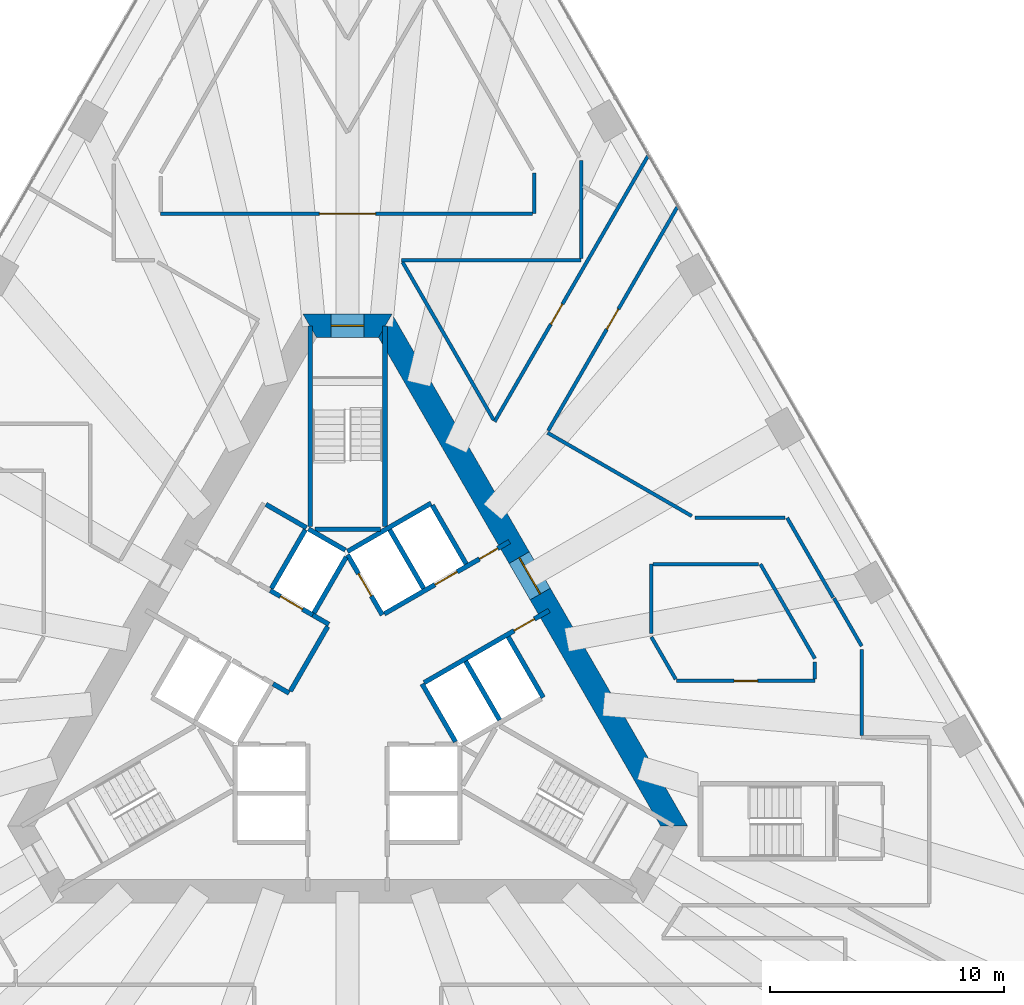
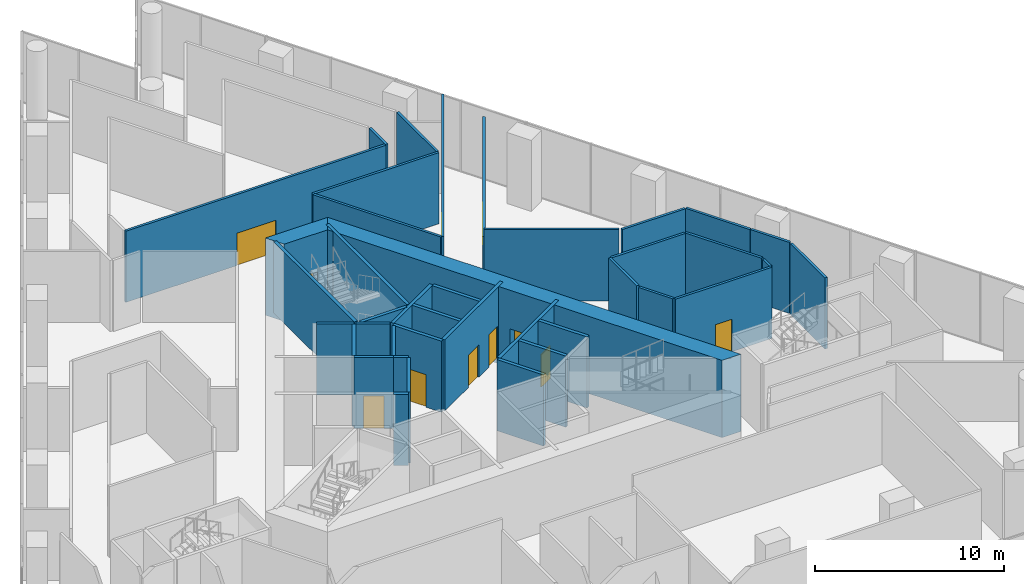
# One storey, part 28 of 32: 40 walls, 11 doors, 11 openings.
"""IFC4 building model written with IfcOpenShell, lengths in metres."""

from ifc_helpers import new_model, si_unit, direction, frame, frame_2d, origin, place, context, subcontext, project, spatial, polyline, rectangle, outline, extrude, material, layer, layer_set, type_object, element, fill, save


model = new_model("IFC4")

# Units and contexts
model_context = context("Model", 3, precision=1e-05, world=origin(), true_north=direction((0.0, 1.0)))
body_context = subcontext(model_context, "Body", "Model", "MODEL_VIEW")
ifc_project = project(units=[si_unit("LENGTHUNIT", "METRE"), si_unit("AREAUNIT", "SQUARE_METRE"), si_unit("VOLUMEUNIT", "CUBIC_METRE"), si_unit("PLANEANGLEUNIT", "RADIAN"), si_unit("MASSUNIT", "GRAM", prefix="KILO")], contexts=[model_context])

# Site, building, storey
site_placement = place(None, origin())
site = spatial("IfcSite", under=ifc_project, at=site_placement, CompositionType="ELEMENT")
building_placement = place(site_placement, origin())
building = spatial("IfcBuilding", under=site, at=building_placement, Name="Triada Interchange Tower", CompositionType="ELEMENT")
storey_placement = place(building_placement, frame((0.0, 0.0, 25.300048828125)))
storey = spatial("IfcBuildingStorey", under=building, at=storey_placement, Name="L04", CompositionType="ELEMENT", Elevation=25.300048828125)

# Wall
ifc_material_1 = material(Name="Concrete C30/37", Category="concrete")
ifc_layer_1 = layer(ifc_material_1, 0.199951171875)
ifc_layer_set_1 = layer_set([ifc_layer_1], Name="CORE WALL 200 EI 120")
wall_type_1 = type_object("IfcWallType", Name="CORE WALL 200 EI 120", PredefinedType="SOLIDWALL", material=ifc_layer_set_1)
wall_1_placement = place(storey_placement, frame((-0.001953125, 5.541015625, 0.0), z_axis=(0.0, 0.0, 1.0), x_axis=(0.86600155993, 0.500041296494, 0.0)))
element("IfcWall", 1, at=wall_1_placement, inside=storey, type_object=wall_type_1, Name="Wall L04 104", PredefinedType="SOLIDWALL", context=body_context, shape_type="SweptSolid", body=[
    extrude(rectangle(XDim=4.131591796875, YDim=0.199951171875, at=frame_2d((2.06591796875, 0.0))), origin(), (0.0, 0.0, 1.0), 4.599853515625),
])

# Wall, opening, door
wall_2_placement = place(storey_placement, frame((0.0, 5.39990234375, 0.0), z_axis=(0.0, 0.0, 1.0), x_axis=(0.500103862429, -0.865965430478, 0.0)))
wall_2 = element("IfcWall", 2, at=wall_2_placement, inside=storey, type_object=wall_type_1, Name="Wall L04 105", PredefinedType="SOLIDWALL", context=body_context, shape_type="SweptSolid", body=[
    extrude(rectangle(XDim=2.973388671875, YDim=0.199951171875, at=frame_2d((1.48681640625, 0.0))), origin(), (0.0, 0.0, 1.0), 4.599853515625),
])
opening_1_placement = place(wall_2_placement, frame((0.93701171875, 0.0, 0.0)))
opening_1 = element("IfcOpeningElement", 3, at=opening_1_placement, cuts=wall_2, Name="Opening LD-LR5", PredefinedType="OPENING", context=body_context, shape_type="SweptSolid", body=[
    extrude(rectangle(XDim=1.10009765625, YDim=2.10009765625, at=frame_2d((0.550048828125, 1.050048828125))), frame((0.0, 0.10986328125, 0.0), z_axis=(0.0, -1.0, 0.0), x_axis=(1.0, 0.0, 0.0)), (0.0, 0.0, 1.0), 0.219970703125),
])
ifc_material_2 = material(Name="Steel S235 door leaf", Category="steel")
door_type_1 = type_object("IfcDoorType", Name="LIFT LANDING DOOR 1100 EI 120", OperationType="SLIDING_TO_LEFT", PredefinedType="DOOR", material=ifc_material_2)
door_1_placement = place(opening_1_placement, origin())
door_1 = element("IfcDoor", 4, at=door_1_placement, inside=storey, type_object=door_type_1, Name="LR5 landing door L04", OperationType="SLIDING_TO_LEFT", OverallHeight=2.10009765625, OverallWidth=1.10009765625, PredefinedType="DOOR", context=body_context, shape_type="SweptSolid", body=[
    extrude(rectangle(XDim=1.10009765625, YDim=2.10009765625, at=frame_2d((0.550048828125, 1.050048828125))), frame((0.0, 0.02490234375, 0.0), z_axis=(0.0, -1.0, 0.0), x_axis=(1.0, 0.0, 0.0)), (0.0, 0.0, 1.0), 0.050048828125),
])
fill(opening_1, door_1)

# Wall
wall_3_placement = place(storey_placement, frame((3.18994140625, -0.125, 0.0), z_axis=(0.0, 0.0, 1.0), x_axis=(0.499988658015, -0.866031951983, 0.0)))
element("IfcWall", 5, at=wall_3_placement, inside=storey, type_object=wall_type_1, Name="Wall L04 106", PredefinedType="SOLIDWALL", context=body_context, shape_type="SweptSolid", body=[
    extrude(rectangle(XDim=2.85791015625, YDim=0.199951171875, at=frame_2d((1.428955078125, 0.0))), origin(), (0.0, 0.0, 1.0), 4.599853515625),
])

# Wall, openings, doors
wall_4_placement = place(storey_placement, frame((1.577880859375, 2.8740234375, 0.0), z_axis=(0.0, 0.0, 1.0), x_axis=(0.866055259465, 0.499948284879, 0.0)))
wall_4 = element("IfcWall", 6, at=wall_4_placement, inside=storey, type_object=wall_type_1, Name="Wall L04 107", PredefinedType="SOLIDWALL", context=body_context, shape_type="SweptSolid", body=[
    extrude(rectangle(XDim=6.176513671875, YDim=0.199951171875, at=frame_2d((3.08837890625, 0.0))), origin(), (0.0, 0.0, 1.0), 4.599853515625),
])
opening_2_placement = place(wall_4_placement, frame((2.49609375, 0.0, 0.0)))
opening_2 = element("IfcOpeningElement", 7, at=opening_2_placement, cuts=wall_4, Name="Opening LD-LR6", PredefinedType="OPENING", context=body_context, shape_type="SweptSolid", body=[
    extrude(rectangle(XDim=1.10009765625, YDim=2.10009765625, at=frame_2d((0.550048828125, 1.050048828125))), frame((0.0, 0.10986328125, 0.0), z_axis=(0.0, -1.0, 0.0), x_axis=(1.0, 0.0, 0.0)), (0.0, 0.0, 1.0), 0.219970703125),
])
opening_3_placement = place(wall_4_placement, frame((4.696044921875, 0.0, 0.0)))
opening_3 = element("IfcOpeningElement", 8, at=opening_3_placement, cuts=wall_4, Name="Opening D04-40", PredefinedType="OPENING", context=body_context, shape_type="SweptSolid", body=[
    extrude(rectangle(XDim=0.89990234375, YDim=2.10009765625, at=frame_2d((0.449951171875, 1.050048828125))), frame((0.0, 0.10986328125, 0.0), z_axis=(0.0, -1.0, 0.0), x_axis=(1.0, 0.0, 0.0)), (0.0, 0.0, 1.0), 0.219970703125),
])
door_2_placement = place(opening_2_placement, origin())
door_2 = element("IfcDoor", 9, at=door_2_placement, inside=storey, type_object=door_type_1, Name="LR6 landing door L04", OperationType="SLIDING_TO_LEFT", OverallHeight=2.10009765625, OverallWidth=1.10009765625, PredefinedType="DOOR", context=body_context, shape_type="SweptSolid", body=[
    extrude(rectangle(XDim=1.10009765625, YDim=2.10009765625, at=frame_2d((0.550048828125, 1.050048828125))), frame((0.0, 0.02490234375, 0.0), z_axis=(0.0, -1.0, 0.0), x_axis=(1.0, 0.0, 0.0)), (0.0, 0.0, 1.0), 0.050048828125),
])
fill(opening_2, door_2)
door_type_2 = type_object("IfcDoorType", Name="SERVICE DOOR 900 EI2 45-C5S200", OperationType="NOTDEFINED", PredefinedType="DOOR", material=ifc_material_2)
door_3_placement = place(opening_3_placement, origin())
door_3 = element("IfcDoor", 10, at=door_3_placement, inside=storey, type_object=door_type_2, Name="Door D04-40 L04", OperationType="SINGLE_SWING_LEFT", OverallHeight=2.10009765625, OverallWidth=0.89990234375, PredefinedType="DOOR", context=body_context, shape_type="SweptSolid", body=[
    extrude(rectangle(XDim=0.89990234375, YDim=2.10009765625, at=frame_2d((0.449951171875, 1.050048828125))), frame((0.0, 0.02490234375, 0.0), z_axis=(0.0, -1.0, 0.0), x_axis=(1.0, 0.0, 0.0)), (0.0, 0.0, 1.0), 0.050048828125),
])
fill(opening_3, door_3)

# Wall, opening, door
wall_5_placement = place(storey_placement, frame((3.278076171875, -0.071044921875, 0.0), z_axis=(0.0, 0.0, 1.0), x_axis=(0.865959795517, 0.500113619639, 0.0)))
wall_5 = element("IfcWall", 11, at=wall_5_placement, inside=storey, type_object=wall_type_1, Name="Wall L04 110", PredefinedType="SOLIDWALL", context=body_context, shape_type="SweptSolid", body=[
    extrude(rectangle(XDim=6.1767578125, YDim=0.199951171875, at=frame_2d((3.08837890625, 0.0))), origin(), (0.0, 0.0, 1.0), 4.599853515625),
])
opening_4_placement = place(wall_5_placement, frame((4.447021484375, 0.0, 0.0)))
opening_4 = element("IfcOpeningElement", 12, at=opening_4_placement, cuts=wall_5, Name="Opening D04-42", PredefinedType="OPENING", context=body_context, shape_type="SweptSolid", body=[
    extrude(rectangle(XDim=1.0, YDim=2.10009765625, at=frame_2d((0.5, 1.050048828125))), frame((0.0, 0.10986328125, 0.0), z_axis=(0.0, -1.0, 0.0), x_axis=(1.0, 0.0, 0.0)), (0.0, 0.0, 1.0), 0.219970703125),
])
door_type_3 = type_object("IfcDoorType", Name="SERVICE DOOR 1000 EI2 45-C5S200", OperationType="NOTDEFINED", PredefinedType="DOOR", material=ifc_material_2)
door_4_placement = place(opening_4_placement, origin())
door_4 = element("IfcDoor", 13, at=door_4_placement, inside=storey, type_object=door_type_3, Name="Door D04-42 L04", OperationType="SINGLE_SWING_RIGHT", OverallHeight=2.10009765625, OverallWidth=1.0, PredefinedType="DOOR", context=body_context, shape_type="SweptSolid", body=[
    extrude(rectangle(XDim=1.0, YDim=2.10009765625, at=frame_2d((0.5, 1.050048828125))), frame((0.0, 0.02490234375, 0.0), z_axis=(0.0, -1.0, 0.0), x_axis=(1.0, 0.0, 0.0)), (0.0, 0.0, 1.0), 0.050048828125),
])
fill(opening_4, door_4)

# Walls
wall_6_placement = place(storey_placement, frame((3.6259765625, 7.52001953125, 0.0), z_axis=(0.0, 0.0, 1.0), x_axis=(0.500060147554, -0.865990674793, 0.0)))
element("IfcWall", 14, at=wall_6_placement, inside=storey, type_object=wall_type_1, Name="Wall L04 111", PredefinedType="SOLIDWALL", context=body_context, shape_type="SweptSolid", body=[
    extrude(rectangle(XDim=2.899658203125, YDim=0.199951171875, at=frame_2d((1.44970703125, 0.0))), origin(), (0.0, 0.0, 1.0), 4.599853515625),
])
wall_7_placement = place(storey_placement, frame((6.8759765625, 1.89111328125, 0.0), z_axis=(0.0, 0.0, 1.0), x_axis=(0.499990139034, -0.866031096941, 0.0)))
element("IfcWall", 15, at=wall_7_placement, inside=storey, type_object=wall_type_1, Name="Wall L04 112", PredefinedType="SOLIDWALL", context=body_context, shape_type="SweptSolid", body=[
    extrude(rectangle(XDim=3.0, YDim=0.199951171875, at=frame_2d((1.5, 0.0))), origin(), (0.0, 0.0, 1.0), 4.599853515625),
])
for number, where, z_axis, x_axis, name in (
    (16, (1.806884765625, 6.469970703125, 0.0), (0.0, 0.0, 1.0), (0.50012328804, -0.865954211699, 0.0), "Wall L04 113"),
    (17, (5.056884765625, 0.841064453125, 0.0), (0.0, 0.0, 1.0), (0.50012328804, -0.865954211699, 0.0), "Wall L04 114"),
):
    element("IfcWall", number, at=place(storey_placement, frame(where, z_axis=z_axis, x_axis=x_axis)), inside=storey, type_object=wall_type_1, Name=name, PredefinedType="SOLIDWALL", context=body_context, shape_type="SweptSolid", body=[
        extrude(rectangle(XDim=2.899658203125, YDim=0.199951171875, at=frame_2d((1.44970703125, 0.0))), origin(), (0.0, 0.0, 1.0), 4.599853515625),
    ])
ifc_layer_2 = layer(ifc_material_1, 0.199951171875)
ifc_layer_set_2 = layer_set([ifc_layer_2], Name="CORE WALL 200 EI 180")
wall_type_2 = type_object("IfcWallType", Name="CORE WALL 200 EI 180", PredefinedType="SOLIDWALL", material=ifc_layer_set_2)
wall_8_placement = place(storey_placement, frame((-3.18798828125, -0.1220703125, 0.0), z_axis=(0.0, 0.0, 1.0), x_axis=(0.865705793592, -0.50055317294, 0.0)))
element("IfcWall", 18, at=wall_8_placement, inside=storey, type_object=wall_type_2, Name="Wall L04 117", PredefinedType="SOLIDWALL", context=body_context, shape_type="SweptSolid", body=[
    extrude(rectangle(XDim=0.796875, YDim=0.199951171875, at=frame_2d((0.3984375, 0.0))), origin(), (0.0, 0.0, 1.0), 4.599853515625),
])
wall_9_placement = place(storey_placement, frame((-1.488037109375, 2.822021484375, 0.0), z_axis=(0.0, 0.0, 1.0), x_axis=(0.866236612152, -0.499633997809, 0.0)))
element("IfcWall", 19, at=wall_9_placement, inside=storey, type_object=wall_type_2, Name="Wall L04 119", PredefinedType="SOLIDWALL", context=body_context, shape_type="SweptSolid", body=[
    extrude(rectangle(XDim=0.79638671875, YDim=0.199951171875, at=frame_2d((0.398193359375, 0.0))), origin(), (0.0, 0.0, 1.0), 4.599853515625),
])
wall_10_placement = place(storey_placement, frame((-3.489013671875, 7.556884765625, 0.0), z_axis=(0.0, 0.0, 1.0), x_axis=(0.866010750942, -0.50002537861, 0.0)))
element("IfcWall", 20, at=wall_10_placement, inside=storey, type_object=wall_type_2, Name="Wall L04 121", PredefinedType="SOLIDWALL", context=body_context, shape_type="SweptSolid", body=[
    extrude(rectangle(XDim=2.0, YDim=0.199951171875, at=frame_2d((1.0, 0.0))), origin(), (0.0, 0.0, 1.0), 4.599853515625),
])
wall_11_placement = place(storey_placement, frame((-2.444091796875, -0.43310546875, 0.0), z_axis=(0.0, 0.0, 1.0), x_axis=(0.500035624827, 0.866004834804, 0.0)))
element("IfcWall", 21, at=wall_11_placement, inside=storey, type_object=wall_type_2, Name="Wall L04 122", PredefinedType="SOLIDWALL", context=body_context, shape_type="SweptSolid", body=[
    extrude(rectangle(XDim=3.194091796875, YDim=0.199951171875, at=frame_2d((1.59716796875, 0.0))), origin(), (0.0, 0.0, 1.0), 4.599853515625),
])

# Wall, opening, door
wall_12_placement = place(storey_placement, frame((-3.30908203125, 3.873046875, 0.0), z_axis=(0.0, 0.0, 1.0), x_axis=(0.866098583652, -0.499873227325, 0.0)))
wall_12 = element("IfcWall", 22, at=wall_12_placement, inside=storey, type_object=wall_type_2, Name="Shaft wall FF2 L04 127", PredefinedType="SOLIDWALL", context=body_context, shape_type="SweptSolid", body=[
    extrude(rectangle(XDim=2.1025390625, YDim=0.199951171875, at=frame_2d((1.05126953125, 0.0))), origin(), (0.0, 0.0, 1.0), 4.599853515625),
])
opening_5_placement = place(wall_12_placement, frame((0.501953125, 0.0, 0.0)))
opening_5 = element("IfcOpeningElement", 23, at=opening_5_placement, cuts=wall_12, Name="Opening LD-FF2", PredefinedType="OPENING", context=body_context, shape_type="SweptSolid", body=[
    extrude(rectangle(XDim=1.10009765625, YDim=2.10009765625, at=frame_2d((0.550048828125, 1.050048828125))), frame((0.0, 0.10986328125, 0.0), z_axis=(0.0, -1.0, 0.0), x_axis=(1.0, 0.0, 0.0)), (0.0, 0.0, 1.0), 0.219970703125),
])
door_5_placement = place(opening_5_placement, origin())
door_5 = element("IfcDoor", 24, at=door_5_placement, inside=storey, type_object=door_type_1, Name="FF2 landing door L04", OperationType="SLIDING_TO_LEFT", OverallHeight=2.10009765625, OverallWidth=1.10009765625, PredefinedType="DOOR", context=body_context, shape_type="SweptSolid", body=[
    extrude(rectangle(XDim=1.10009765625, YDim=2.10009765625, at=frame_2d((0.550048828125, 1.050048828125))), frame((0.0, 0.02490234375, 0.0), z_axis=(0.0, -1.0, 0.0), x_axis=(1.0, 0.0, 0.0)), (0.0, 0.0, 1.0), 0.050048828125),
])
fill(opening_5, door_5)

# Walls
wall_13_placement = place(storey_placement, frame((-3.257080078125, 3.958984375, 0.0), z_axis=(0.0, 0.0, 1.0), x_axis=(0.50012328804, 0.865954211699, 0.0)))
element("IfcWall", 25, at=wall_13_placement, inside=storey, type_object=wall_type_2, Name="Shaft wall FF2 L04 128", PredefinedType="SOLIDWALL", context=body_context, shape_type="SweptSolid", body=[
    extrude(rectangle(XDim=2.899658203125, YDim=0.199951171875, at=frame_2d((1.44970703125, 0.0))), origin(), (0.0, 0.0, 1.0), 4.599853515625),
])
wall_14_placement = place(storey_placement, frame((-1.669921875, 6.507080078125, 0.0), z_axis=(0.0, 0.0, 1.0), x_axis=(0.865941441609, -0.500145398563, 0.0)))
element("IfcWall", 26, at=wall_14_placement, inside=storey, type_object=wall_type_2, Name="Shaft wall FF2 L04 129", PredefinedType="SOLIDWALL", context=body_context, shape_type="SweptSolid", body=[
    extrude(rectangle(XDim=1.8154296875, YDim=0.199951171875, at=frame_2d((0.90771484375, 0.0))), origin(), (0.0, 0.0, 1.0), 4.599853515625),
])
wall_15_placement = place(storey_placement, frame((-1.43798828125, 2.908935546875, 0.0), z_axis=(0.0, 0.0, 1.0), x_axis=(0.499829630636, 0.866123744241, 0.0)))
element("IfcWall", 27, at=wall_15_placement, inside=storey, type_object=wall_type_2, Name="Shaft wall FF2 L04 130", PredefinedType="SOLIDWALL", context=body_context, shape_type="SweptSolid", body=[
    extrude(rectangle(XDim=2.7607421875, YDim=0.199951171875, at=frame_2d((1.38037109375, 0.0))), origin(), (0.0, 0.0, 1.0), 4.599853515625),
])
ifc_layer_3 = layer(ifc_material_1, 0.199951171875)
ifc_layer_set_3 = layer_set([ifc_layer_3], Name="CORE WALL 200 REI 240")
wall_type_3 = type_object("IfcWallType", Name="CORE WALL 200 REI 240", PredefinedType="SOLIDWALL", material=ifc_layer_set_3)
wall_16_placement = place(storey_placement, frame((1.60009765625, 6.614990234375, 0.0), z_axis=(0.0, 0.0, 1.0), x_axis=(0.0, 1.0, 0.0)))
element("IfcWall", 28, at=wall_16_placement, inside=storey, type_object=wall_type_3, Name="Wall L04 135", PredefinedType="SOLIDWALL", context=body_context, shape_type="SweptSolid", body=[
    extrude(rectangle(XDim=8.56494140625, YDim=0.199951171875, at=frame_2d((4.282470703125, 0.0))), origin(), (0.0, 0.0, 1.0), 4.599853515625),
])
wall_17_placement = place(storey_placement, frame((-1.39990234375, 6.5, 0.0), z_axis=(0.0, 0.0, 1.0), x_axis=(1.0, 0.0, 0.0)))
element("IfcWall", 29, at=wall_17_placement, inside=storey, type_object=wall_type_3, Name="Wall L04 136", PredefinedType="SOLIDWALL", context=body_context, shape_type="SweptSolid", body=[
    extrude(rectangle(XDim=2.7998046875, YDim=0.199951171875, at=frame_2d((1.39990234375, 0.0))), origin(), (0.0, 0.0, 1.0), 4.599853515625),
])
wall_18_placement = place(storey_placement, frame((-1.60009765625, 6.614990234375, 0.0), z_axis=(0.0, 0.0, 1.0), x_axis=(0.0, 1.0, 0.0)))
element("IfcWall", 30, at=wall_18_placement, inside=storey, type_object=wall_type_3, Name="Wall L04 137", PredefinedType="SOLIDWALL", context=body_context, shape_type="SweptSolid", body=[
    extrude(rectangle(XDim=8.56494140625, YDim=0.199951171875, at=frame_2d((4.282470703125, 0.0))), origin(), (0.0, 0.0, 1.0), 4.599853515625),
])

# Wall, opening, door
ifc_material_3 = material(Name="Concrete C70/85", Category="concrete")
ifc_layer_4 = layer(ifc_material_3, 1.0)
ifc_layer_set_4 = layer_set([ifc_layer_4], Name="Core wall P 1000")
wall_type_4 = type_object("IfcWallType", Name="Core wall P 1000", PredefinedType="SHEAR", material=ifc_layer_set_4)
wall_19_placement = place(storey_placement, frame((1.616943359375, 15.199951171875, -0.400146484375), z_axis=(0.0, 0.0, 1.0), x_axis=(-1.0, 0.0, 0.0)))
wall_19 = element("IfcWall", 31, at=wall_19_placement, inside=storey, type_object=wall_type_4, Name="Core wall WP01 L04", PredefinedType="SHEAR", context=body_context, shape_type="SweptSolid", body=[
    extrude(outline(polyline([(-0.2880859375, -0.5), (1.616943359375, -0.5), (3.52197265625, -0.5), (2.945068359375, 0.5), (1.6171875, 0.5), (0.2890625, 0.5), (-0.2880859375, -0.5)])), origin(), (0.0, 0.0, 1.0), 5.0),
])
opening_6_placement = place(wall_19_placement, frame((0.9169921875, 0.0, 0.39990234375)))
opening_6 = element("IfcOpeningElement", 32, at=opening_6_placement, cuts=wall_19, Name="Opening D04-34", PredefinedType="OPENING", context=body_context, shape_type="SweptSolid", body=[
    extrude(rectangle(XDim=1.39990234375, YDim=2.10009765625, at=frame_2d((0.699951171875, 1.050048828125))), frame((0.0, 0.510009765625, 0.0), z_axis=(0.0, -1.0, 0.0), x_axis=(1.0, 0.0, 0.0)), (0.0, 0.0, 1.0), 1.02001953125),
])
door_type_4 = type_object("IfcDoorType", Name="STAIR DOOR 1400 EI2 90-C5S200", OperationType="DOUBLE_DOOR_SINGLE_SWING", PredefinedType="DOOR", material=ifc_material_2)
door_6_placement = place(opening_6_placement, origin())
door_6 = element("IfcDoor", 33, at=door_6_placement, inside=storey, type_object=door_type_4, Name="Door D04-34 L04", OperationType="DOUBLE_DOOR_SINGLE_SWING", OverallHeight=2.10009765625, OverallWidth=1.39990234375, PredefinedType="DOOR", context=body_context, shape_type="SweptSolid", body=[
    extrude(rectangle(XDim=1.39990234375, YDim=2.10009765625, at=frame_2d((0.699951171875, 1.050048828125))), frame((0.0, 0.02490234375, 0.0), z_axis=(0.0, -1.0, 0.0), x_axis=(1.0, 0.0, 0.0)), (0.0, 0.0, 1.0), 0.050048828125),
])
fill(opening_6, door_6)

wall_20_placement = place(storey_placement, frame((13.971923828125, -6.199951171875, -0.400146484375), z_axis=(0.0, 0.0, 1.0), x_axis=(-0.499992141631, 0.866029940768, 0.0)))
wall_20 = element("IfcWall", 34, at=wall_20_placement, inside=storey, type_object=wall_type_4, Name="Core wall WP06 L04", PredefinedType="SHEAR", context=body_context, shape_type="SweptSolid", body=[
    extrude(outline(polyline([(-0.2880859375, -0.5), (1.656982421875, -0.5), (3.602294921875, -0.499755859375), (5.54736328125, -0.499755859375), (7.49267578125, -0.499755859375), (9.437744140625, -0.49951171875), (11.3828125, -0.49951171875), (13.328125, -0.49951171875), (15.273193359375, -0.49951171875), (17.21826171875, -0.499267578125), (19.16357421875, -0.499267578125), (21.108642578125, -0.499267578125), (23.053955078125, -0.4990234375), (24.9990234375, -0.4990234375), (24.422119140625, 0.5), (22.565673828125, 0.5), (20.709228515625, 0.5), (18.852783203125, 0.5), (16.996337890625, 0.5), (15.139892578125, 0.5), (13.283447265625, 0.5), (11.4267578125, 0.5), (9.5703125, 0.5), (7.7138671875, 0.5), (5.857421875, 0.5), (4.0009765625, 0.5), (2.14453125, 0.5), (0.2880859375, 0.5), (-0.2880859375, -0.5)])), origin(), (0.0, 0.0, 1.0), 5.0),
])
opening_7_placement = place(wall_20_placement, frame((11.455078125, 0.0, 0.39990234375)))
opening_7 = element("IfcOpeningElement", 35, at=opening_7_placement, cuts=wall_20, Name="Opening D04-33", PredefinedType="OPENING", context=body_context, shape_type="SweptSolid", body=[
    extrude(rectangle(XDim=1.800048828125, YDim=2.10009765625, at=frame_2d((0.89990234375, 1.050048828125))), frame((0.0, 0.510009765625, 0.0), z_axis=(0.0, -1.0, 0.0), x_axis=(1.0, 0.0, 0.0)), (0.0, 0.0, 1.0), 1.02001953125),
])
door_type_5 = type_object("IfcDoorType", Name="LOBBY DOOR 1800 EI2 90-C5S200", OperationType="DOUBLE_DOOR_SINGLE_SWING", PredefinedType="DOOR", material=ifc_material_2)
door_7_placement = place(opening_7_placement, origin())
door_7 = element("IfcDoor", 36, at=door_7_placement, inside=storey, type_object=door_type_5, Name="Door D04-33 L04", OperationType="DOUBLE_DOOR_SINGLE_SWING", OverallHeight=2.10009765625, OverallWidth=1.800048828125, PredefinedType="DOOR", context=body_context, shape_type="SweptSolid", body=[
    extrude(rectangle(XDim=1.800048828125, YDim=2.10009765625, at=frame_2d((0.89990234375, 1.050048828125))), frame((0.0, 0.02490234375, 0.0), z_axis=(0.0, -1.0, 0.0), x_axis=(1.0, 0.0, 0.0)), (0.0, 0.0, 1.0), 0.050048828125),
])
fill(opening_7, door_7)

# Walls
ifc_material_4 = material(Name="Gypsum board partition")
ifc_layer_5 = layer(ifc_material_4, 0.14990234375)
ifc_layer_set_5 = layer_set([ifc_layer_5], Name="PARTITION 150 EI 90")
wall_type_5 = type_object("IfcWallType", Name="PARTITION 150 EI 90", PredefinedType="PARTITIONING", material=ifc_layer_set_5)
wall_21_placement = place(storey_placement, frame((2.30908203125, 18.0, 0.0), z_axis=(0.0, 0.0, 1.0), x_axis=(1.0, 0.0, 0.0)))
element("IfcWall", 37, at=wall_21_placement, inside=storey, type_object=wall_type_5, Name="Wall L04 36", PredefinedType="PARTITIONING", context=body_context, shape_type="SweptSolid", body=[
    extrude(rectangle(XDim=7.69091796875, YDim=0.14990234375, at=frame_2d((3.845458984375, 0.0))), origin(), (0.0, 0.0, 1.0), 4.599853515625),
])
wall_22_placement = place(storey_placement, frame((10.0, 18.074951171875, 0.0), z_axis=(0.0, 0.0, 1.0), x_axis=(0.0, 1.0, 0.0)))
element("IfcWall", 38, at=wall_22_placement, inside=storey, type_object=wall_type_5, Name="Wall L04 50", PredefinedType="PARTITIONING", context=body_context, shape_type="SweptSolid", body=[
    extrude(rectangle(XDim=4.2041015625, YDim=0.14990234375, at=frame_2d((2.10205078125, 0.0))), origin(), (0.0, 0.0, 1.0), 4.599853515625),
])
wall_23_placement = place(storey_placement, frame((20.81689453125, 3.5439453125, 0.0), z_axis=(0.0, 0.0, 1.0), x_axis=(0.500067837396, -0.865986234303, 0.0)))
element("IfcWall", 39, at=wall_23_placement, inside=storey, type_object=wall_type_5, Name="Wall L04 52", PredefinedType="PARTITIONING", context=body_context, shape_type="SweptSolid", body=[
    extrude(rectangle(XDim=2.365966796875, YDim=0.14990234375, at=frame_2d((1.18310546875, 0.0))), origin(), (0.0, 0.0, 1.0), 4.599853515625),
])

# Wall, opening, door
wall_24_placement = place(storey_placement, frame((6.29296875, 11.09912109375, 0.0), z_axis=(0.0, 0.0, 1.0), x_axis=(0.500016782699, 0.866015714072, 0.0)))
wall_24 = element("IfcWall", 40, at=wall_24_placement, inside=storey, type_object=wall_type_5, Name="Wall L04 60", PredefinedType="PARTITIONING", context=body_context, shape_type="SweptSolid", body=[
    extrude(rectangle(XDim=13.16357421875, YDim=0.14990234375, at=frame_2d((6.581787109375, 0.0))), origin(), (0.0, 0.0, 1.0), 4.599853515625),
])
opening_8_placement = place(wall_24_placement, frame((4.80908203125, 0.0, 0.0)))
opening_8 = element("IfcOpeningElement", 41, at=opening_8_placement, cuts=wall_24, Name="Opening D04-27", PredefinedType="OPENING", context=body_context, shape_type="SweptSolid", body=[
    extrude(rectangle(XDim=1.0, YDim=2.10009765625, at=frame_2d((0.5, 1.050048828125))), frame((0.0, 0.0849609375, 0.0), z_axis=(0.0, -1.0, 0.0), x_axis=(1.0, 0.0, 0.0)), (0.0, 0.0, 1.0), 0.169921875),
])
door_type_6 = type_object("IfcDoorType", Name="ROOM DOOR 1000 EI2 45-C5S200", OperationType="NOTDEFINED", PredefinedType="DOOR", material=ifc_material_2)
door_8_placement = place(opening_8_placement, origin())
door_8 = element("IfcDoor", 42, at=door_8_placement, inside=storey, type_object=door_type_6, Name="Door D04-27 L04", OperationType="SINGLE_SWING_LEFT", OverallHeight=2.10009765625, OverallWidth=1.0, PredefinedType="DOOR", context=body_context, shape_type="SweptSolid", body=[
    extrude(rectangle(XDim=1.0, YDim=2.10009765625, at=frame_2d((0.5, 1.050048828125))), frame((0.0, 0.02490234375, 0.0), z_axis=(0.0, -1.0, 0.0), x_axis=(1.0, 0.0, 0.0)), (0.0, 0.0, 1.0), 0.050048828125),
])
fill(opening_8, door_8)

# Walls
wall_25_placement = place(storey_placement, frame((2.35302734375, 17.925048828125, 0.0), z_axis=(0.0, 0.0, 1.0), x_axis=(0.499932120426, -0.866064590528, 0.0)))
element("IfcWall", 43, at=wall_25_placement, inside=storey, type_object=wall_type_5, Name="Wall L04 61", PredefinedType="PARTITIONING", context=body_context, shape_type="SweptSolid", body=[
    extrude(rectangle(XDim=7.794921875, YDim=0.14990234375, at=frame_2d((3.8974609375, 0.0))), origin(), (0.0, 0.0, 1.0), 4.599853515625),
])
wall_26_placement = place(storey_placement, frame((22.0, -2.324951171875, 0.0), z_axis=(0.0, 0.0, 1.0), x_axis=(0.0, 1.0, 0.0)))
element("IfcWall", 44, at=wall_26_placement, inside=storey, type_object=wall_type_5, Name="Wall L04 63", PredefinedType="PARTITIONING", context=body_context, shape_type="SweptSolid", body=[
    extrude(rectangle(XDim=3.669921875, YDim=0.14990234375, at=frame_2d((1.8349609375, 0.0))), origin(), (0.0, 0.0, 1.0), 4.599853515625),
])
wall_27_placement = place(storey_placement, frame((18.81005859375, 6.97998046875, 0.0), z_axis=(0.0, 0.0, 1.0), x_axis=(0.499946039687, -0.866056555544, 0.0)))
element("IfcWall", 45, at=wall_27_placement, inside=storey, type_object=wall_type_5, Name="Wall L04 64", PredefinedType="PARTITIONING", context=body_context, shape_type="SweptSolid", body=[
    extrude(rectangle(XDim=3.9384765625, YDim=0.14990234375, at=frame_2d((1.96923828125, 0.0))), origin(), (0.0, 0.0, 1.0), 4.599853515625),
])
wall_28_placement = place(storey_placement, frame((14.8720703125, 6.97998046875, 0.0), z_axis=(0.0, 0.0, 1.0), x_axis=(1.0, 0.0, 0.0)))
element("IfcWall", 46, at=wall_28_placement, inside=storey, type_object=wall_type_5, Name="Wall L04 65", PredefinedType="PARTITIONING", context=body_context, shape_type="SweptSolid", body=[
    extrude(rectangle(XDim=3.850830078125, YDim=0.14990234375, at=frame_2d((1.92529296875, 0.0))), origin(), (0.0, 0.0, 1.0), 4.599853515625),
])
wall_29_placement = place(storey_placement, frame((8.55810546875, 10.6220703125, 0.0), z_axis=(0.0, 0.0, 1.0), x_axis=(0.866055559963, -0.499947764329, 0.0)))
element("IfcWall", 47, at=wall_29_placement, inside=storey, type_object=wall_type_5, Name="Wall L04 66", PredefinedType="PARTITIONING", context=body_context, shape_type="SweptSolid", body=[
    extrude(rectangle(XDim=7.128662109375, YDim=0.14990234375, at=frame_2d((3.564453125, 0.0))), origin(), (0.0, 0.0, 1.0), 4.599853515625),
])

# Wall, opening, door
wall_30_placement = place(storey_placement, frame((8.587890625, 10.714111328125, 0.0), z_axis=(0.0, 0.0, 1.0), x_axis=(0.500047639521, 0.865997897347, 0.0)))
wall_30 = element("IfcWall", 48, at=wall_30_placement, inside=storey, type_object=wall_type_5, Name="Wall L04 67", PredefinedType="PARTITIONING", context=body_context, shape_type="SweptSolid", body=[
    extrude(rectangle(XDim=11.09130859375, YDim=0.14990234375, at=frame_2d((5.545654296875, 0.0))), origin(), (0.0, 0.0, 1.0), 4.050048828125),
])
opening_9_placement = place(wall_30_placement, frame((5.008056640625, 0.0, 0.0)))
opening_9 = element("IfcOpeningElement", 49, at=opening_9_placement, cuts=wall_30, Name="Opening D04-32", PredefinedType="OPENING", context=body_context, shape_type="SweptSolid", body=[
    extrude(rectangle(XDim=1.0, YDim=2.10009765625, at=frame_2d((0.5, 1.050048828125))), frame((0.0, 0.0849609375, 0.0), z_axis=(0.0, -1.0, 0.0), x_axis=(1.0, 0.0, 0.0)), (0.0, 0.0, 1.0), 0.169921875),
])
door_type_7 = type_object("IfcDoorType", Name="ROOM DOOR 1000 EI2 90-C5S200", OperationType="NOTDEFINED", PredefinedType="DOOR", material=ifc_material_2)
door_9_placement = place(opening_9_placement, origin())
door_9 = element("IfcDoor", 50, at=door_9_placement, inside=storey, type_object=door_type_7, Name="Door D04-32 L04", OperationType="SINGLE_SWING_RIGHT", OverallHeight=2.10009765625, OverallWidth=1.0, PredefinedType="DOOR", context=body_context, shape_type="SweptSolid", body=[
    extrude(rectangle(XDim=1.0, YDim=2.10009765625, at=frame_2d((0.5, 1.050048828125))), frame((0.0, 0.02490234375, 0.0), z_axis=(0.0, -1.0, 0.0), x_axis=(1.0, 0.0, 0.0)), (0.0, 0.0, 1.0), 0.050048828125),
])
fill(opening_9, door_9)

wall_31_placement = place(storey_placement, frame((14.0869140625, 0.0, 0.0), z_axis=(0.0, 0.0, 1.0), x_axis=(1.0, 0.0, 0.0)))
wall_31 = element("IfcWall", 51, at=wall_31_placement, inside=storey, type_object=wall_type_5, Name="Wall L04 76", PredefinedType="PARTITIONING", context=body_context, shape_type="SweptSolid", body=[
    extrude(rectangle(XDim=5.9130859375, YDim=0.14990234375, at=frame_2d((2.95654296875, 0.0))), origin(), (0.0, 0.0, 1.0), 4.599853515625),
])
opening_10_placement = place(wall_31_placement, frame((2.45703125, 0.0, 0.0)))
opening_10 = element("IfcOpeningElement", 52, at=opening_10_placement, cuts=wall_31, Name="Opening D04-21", PredefinedType="OPENING", context=body_context, shape_type="SweptSolid", body=[
    extrude(rectangle(XDim=1.0, YDim=2.10009765625, at=frame_2d((0.5, 1.050048828125))), frame((0.0, 0.0849609375, 0.0), z_axis=(0.0, -1.0, 0.0), x_axis=(1.0, 0.0, 0.0)), (0.0, 0.0, 1.0), 0.169921875),
])
door_10_placement = place(opening_10_placement, origin())
door_10 = element("IfcDoor", 53, at=door_10_placement, inside=storey, type_object=door_type_6, Name="Door D04-21 L04", OperationType="SINGLE_SWING_LEFT", OverallHeight=2.10009765625, OverallWidth=1.0, PredefinedType="DOOR", context=body_context, shape_type="SweptSolid", body=[
    extrude(rectangle(XDim=1.0, YDim=2.10009765625, at=frame_2d((0.5, 1.050048828125))), frame((0.0, 0.02490234375, 0.0), z_axis=(0.0, -1.0, 0.0), x_axis=(1.0, 0.0, 0.0)), (0.0, 0.0, 1.0), 0.050048828125),
])
fill(opening_10, door_10)

# Wall
wall_32_placement = place(storey_placement, frame((8.0, 20.0, 0.0), z_axis=(0.0, 0.0, 1.0), x_axis=(0.0, 1.0, 0.0)))
element("IfcWall", 54, at=wall_32_placement, inside=storey, type_object=wall_type_5, Name="Wall L04 81", PredefinedType="PARTITIONING", context=body_context, shape_type="SweptSolid", body=[
    extrude(rectangle(XDim=1.742919921875, YDim=0.14990234375, at=frame_2d((0.87158203125, 0.0))), origin(), (0.0, 0.0, 1.0), 4.599853515625),
])

# Wall, opening, door
wall_33_placement = place(storey_placement, frame((-8.0, 20.0, 0.0), z_axis=(0.0, 0.0, 1.0), x_axis=(1.0, 0.0, 0.0)))
wall_33 = element("IfcWall", 55, at=wall_33_placement, inside=storey, type_object=wall_type_5, Name="Wall L04 82", PredefinedType="PARTITIONING", context=body_context, shape_type="SweptSolid", body=[
    extrude(rectangle(XDim=15.925048828125, YDim=0.14990234375, at=frame_2d((7.96240234375, 0.0))), origin(), (0.0, 0.0, 1.0), 4.599853515625),
])
opening_11_placement = place(wall_33_placement, frame((6.800048828125, 0.0, 0.0)))
opening_11 = element("IfcOpeningElement", 56, at=opening_11_placement, cuts=wall_33, Name="Opening D04-22", PredefinedType="OPENING", context=body_context, shape_type="SweptSolid", body=[
    extrude(rectangle(XDim=2.39990234375, YDim=2.10009765625, at=frame_2d((1.199951171875, 1.050048828125))), frame((0.0, 0.0849609375, 0.0), z_axis=(0.0, -1.0, 0.0), x_axis=(1.0, 0.0, 0.0)), (0.0, 0.0, 1.0), 0.169921875),
])
door_type_8 = type_object("IfcDoorType", Name="SHOP AND HALL ENTRANCE DOOR 2400 EI2 90-C5S200", OperationType="DOUBLE_DOOR_SINGLE_SWING", PredefinedType="DOOR", material=ifc_material_2)
door_11_placement = place(opening_11_placement, origin())
door_11 = element("IfcDoor", 57, at=door_11_placement, inside=storey, type_object=door_type_8, Name="Door D04-22 L04", OperationType="DOUBLE_DOOR_SINGLE_SWING", OverallHeight=2.10009765625, OverallWidth=2.39990234375, PredefinedType="DOOR", context=body_context, shape_type="SweptSolid", body=[
    extrude(rectangle(XDim=2.39990234375, YDim=2.10009765625, at=frame_2d((1.199951171875, 1.050048828125))), frame((0.0, 0.02490234375, 0.0), z_axis=(0.0, -1.0, 0.0), x_axis=(1.0, 0.0, 0.0)), (0.0, 0.0, 1.0), 0.050048828125),
])
fill(opening_11, door_11)

# Walls
wall_34_placement = place(storey_placement, frame((17.6669921875, 5.0, 0.0), z_axis=(0.0, 0.0, 1.0), x_axis=(0.499988162555, -0.866032238029, 0.0)))
element("IfcWall", 58, at=wall_34_placement, inside=storey, type_object=wall_type_5, Name="Wall L04 87", PredefinedType="PARTITIONING", context=body_context, shape_type="SweptSolid", body=[
    extrude(rectangle(XDim=4.666015625, YDim=0.14990234375, at=frame_2d((2.3330078125, 0.0))), origin(), (0.0, 0.0, 1.0), 4.599853515625),
])
wall_35_placement = place(storey_placement, frame((13.0, 1.883056640625, 0.0), z_axis=(0.0, 0.0, 1.0), x_axis=(0.50001262068, -0.866018117109, 0.0)))
element("IfcWall", 59, at=wall_35_placement, inside=storey, type_object=wall_type_5, Name="Wall L04 90", PredefinedType="PARTITIONING", context=body_context, shape_type="SweptSolid", body=[
    extrude(rectangle(XDim=2.087890625, YDim=0.14990234375, at=frame_2d((1.0439453125, 0.0))), origin(), (0.0, 0.0, 1.0), 4.599853515625),
])
wall_36_placement = place(storey_placement, frame((13.0, 2.032958984375, 0.0), z_axis=(0.0, 0.0, 1.0), x_axis=(0.0, 1.0, 0.0)))
element("IfcWall", 60, at=wall_36_placement, inside=storey, type_object=wall_type_5, Name="Wall L04 91", PredefinedType="PARTITIONING", context=body_context, shape_type="SweptSolid", body=[
    extrude(rectangle(XDim=2.967041015625, YDim=0.14990234375, at=frame_2d((1.4833984375, 0.0))), origin(), (0.0, 0.0, 1.0), 4.599853515625),
])
wall_37_placement = place(storey_placement, frame((13.074951171875, 5.0, 0.0), z_axis=(0.0, 0.0, 1.0), x_axis=(1.0, 0.0, 0.0)))
element("IfcWall", 61, at=wall_37_placement, inside=storey, type_object=wall_type_5, Name="Wall L04 92", PredefinedType="PARTITIONING", context=body_context, shape_type="SweptSolid", body=[
    extrude(rectangle(XDim=4.505126953125, YDim=0.14990234375, at=frame_2d((2.25244140625, 0.0))), origin(), (0.0, 0.0, 1.0), 4.599853515625),
])
wall_38_placement = place(storey_placement, frame((20.0, 0.074951171875, 0.0), z_axis=(0.0, 0.0, 1.0), x_axis=(0.0, 1.0, 0.0)))
element("IfcWall", 62, at=wall_38_placement, inside=storey, type_object=wall_type_5, Name="Wall L04 93", PredefinedType="PARTITIONING", context=body_context, shape_type="SweptSolid", body=[
    extrude(rectangle(XDim=0.734130859375, YDim=0.14990234375, at=frame_2d((0.3671875, 0.0))), origin(), (0.0, 0.0, 1.0), 4.599853515625),
])

save(model, "model.ifc")
